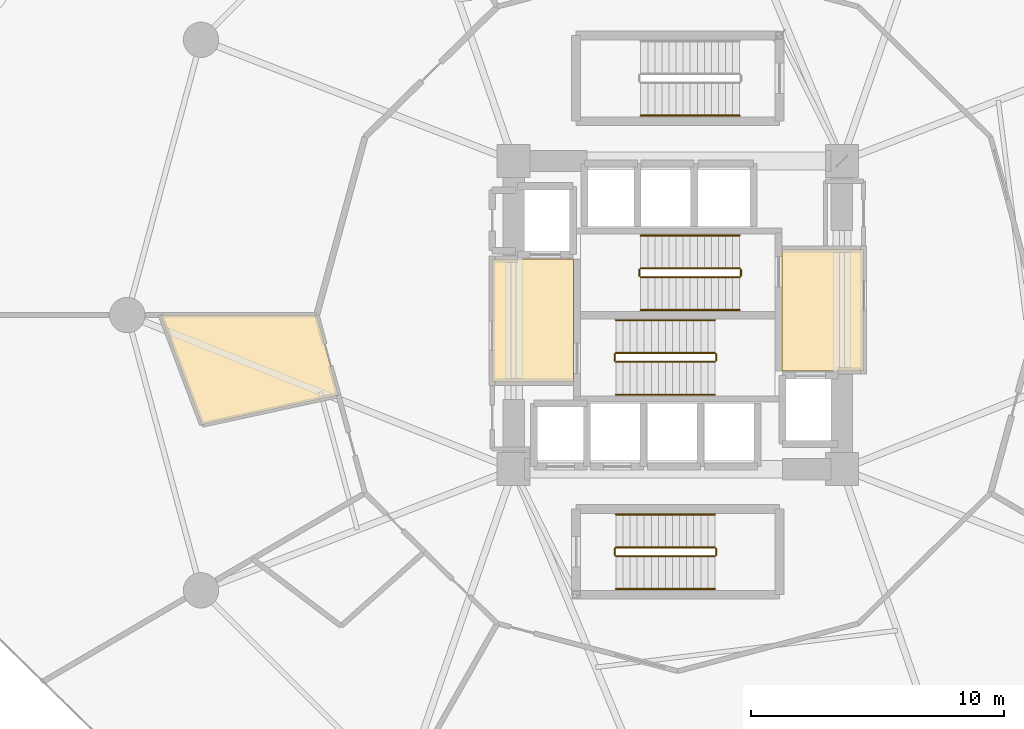
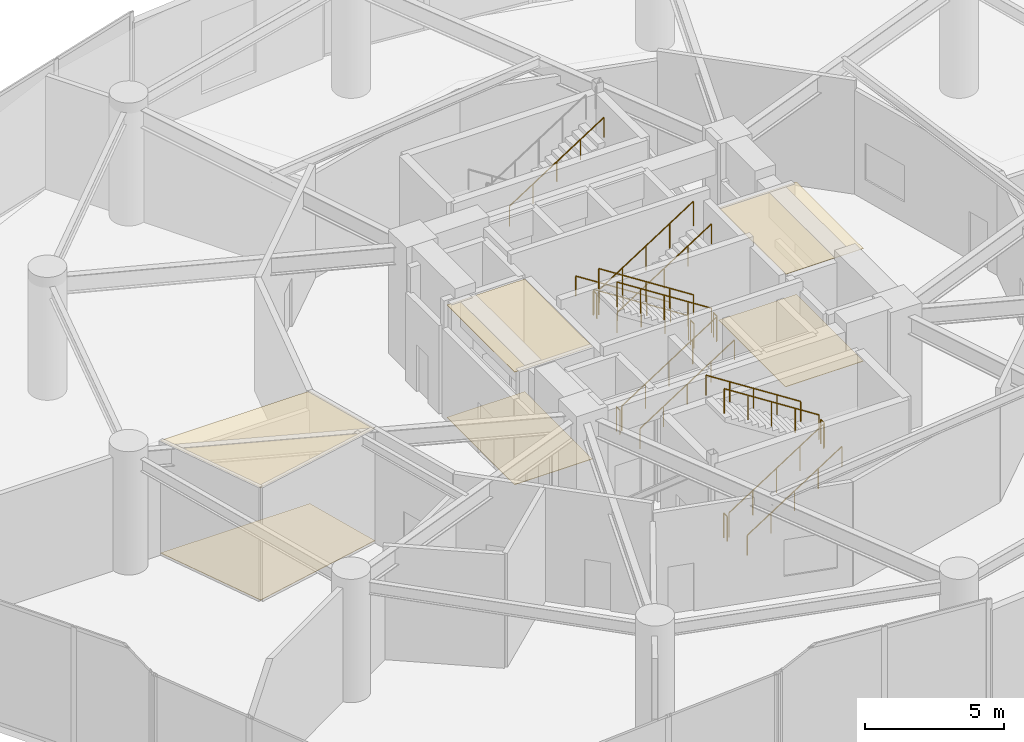
# One storey, part 27 of 29: 19 railings, 6 coverings.
"""IFC4 building model written with IfcOpenShell, lengths in metres."""

from ifc_helpers import new_model, si_unit, direction, frame, origin, origin_2d, place, context, subcontext, project, spatial, polyline, circle, outline, extrude, material, layer, layer_set, type_object, element, save


model = new_model("IFC4")

# Units and contexts
model_context = context("Model", 3, precision=1e-05, world=origin(), true_north=direction((0.0, 1.0)))
body_context = subcontext(model_context, "Body", "Model", "MODEL_VIEW")
ifc_project = project(units=[si_unit("LENGTHUNIT", "METRE"), si_unit("AREAUNIT", "SQUARE_METRE"), si_unit("VOLUMEUNIT", "CUBIC_METRE"), si_unit("PLANEANGLEUNIT", "RADIAN"), si_unit("MASSUNIT", "GRAM", prefix="KILO")], contexts=[model_context])

# Site, building, storey
site_placement = place(None, origin())
site = spatial("IfcSite", under=ifc_project, at=site_placement, CompositionType="ELEMENT")
building_placement = place(site_placement, origin())
building = spatial("IfcBuilding", under=site, at=building_placement, Name="Solvirekh Grand Hotel", CompositionType="ELEMENT")
storey_placement = place(building_placement, frame((0.0, 0.0, 7.199951171875)))
storey = spatial("IfcBuildingStorey", under=building, at=storey_placement, Name="L01", CompositionType="ELEMENT", Elevation=7.199951171875)

# Coverings
ifc_material_1 = material(Name="Acoustic Mineral Ceiling Tile")
ifc_layer_1 = layer(ifc_material_1, 0.02490234375)
ifc_layer_set_1 = layer_set([ifc_layer_1], Name="Acoustic Mineral Ceiling Tile")
covering_type_1 = type_object("IfcCoveringType", Name="Cov_Ceiling_Acoustic", PredefinedType="CEILING", material=ifc_layer_set_1)
covering_1_placement = place(storey_placement, frame((0.0, 0.0, 4.929931640625)))
element("IfcCovering", 1, at=covering_1_placement, inside=storey, type_object=covering_type_1, Name="L01 Firefighting Lobby West acoustic ceiling", PredefinedType="CEILING", context=body_context, shape_type="SweptSolid", body=[
    extrude(outline(polyline([(-7.35009765625, -2.64990234375), (-4.1298828125, -2.64990234375), (-4.1298828125, 2.2099609375), (-7.35009765625, 2.2099609375), (-7.35009765625, -2.64990234375)])), origin(), (0.0, 0.0, 1.0), 0.01806640625),
])
covering_2_placement = place(storey_placement, frame((0.0, 0.0, 4.929931640625)))
element("IfcCovering", 2, at=covering_2_placement, inside=storey, type_object=covering_type_1, Name="L01 Firefighting Lobby East acoustic ceiling", PredefinedType="CEILING", context=body_context, shape_type="SweptSolid", body=[
    extrude(outline(polyline([(4.1298828125, -2.2099609375), (7.35009765625, -2.2099609375), (7.35009765625, 2.60009765625), (4.1298828125, 2.60009765625), (4.1298828125, -2.2099609375)])), origin(), (0.0, 0.0, 1.0), 0.01806640625),
])
covering_3_placement = place(storey_placement, frame((0.0, 0.0, 4.929931640625)))
element("IfcCovering", 3, at=covering_3_placement, inside=storey, type_object=covering_type_1, Name="L01 Podium Accessible WC acoustic ceiling", PredefinedType="CEILING", context=body_context, shape_type="SweptSolid", body=[
    extrude(outline(polyline([(-20.48095703125, 0.0), (-18.841064453125, -4.344970703125), (-13.43798828125, -3.172119140625), (-14.300048828125, 0.0), (-20.48095703125, 0.0)])), origin(), (0.0, 0.0, 1.0), 0.01806640625),
])
ifc_material_2 = material(Name="Porcelain Stoneware Flooring", Category="masonry")
ifc_layer_2 = layer(ifc_material_2, 0.030029296875)
ifc_layer_set_2 = layer_set([ifc_layer_2], Name="Porcelain Stoneware Flooring")
covering_type_2 = type_object("IfcCoveringType", Name="Cov_Floor_Stone", PredefinedType="FLOORING", material=ifc_layer_set_2)
covering_4_placement = place(storey_placement, origin())
element("IfcCovering", 4, at=covering_4_placement, inside=storey, type_object=covering_type_2, Name="L01 Firefighting Lobby West polished granite flooring", PredefinedType="FLOORING", context=body_context, shape_type="SweptSolid", body=[
    extrude(outline(polyline([(-7.35009765625, -2.64990234375), (-4.1298828125, -2.64990234375), (-4.1298828125, 2.2099609375), (-7.35009765625, 2.2099609375), (-7.35009765625, -2.64990234375)])), origin(), (0.0, 0.0, 1.0), 0.02001953125),
])
covering_5_placement = place(storey_placement, origin())
element("IfcCovering", 5, at=covering_5_placement, inside=storey, type_object=covering_type_2, Name="L01 Firefighting Lobby East polished granite flooring", PredefinedType="FLOORING", context=body_context, shape_type="SweptSolid", body=[
    extrude(outline(polyline([(4.1298828125, -2.2099609375), (7.35009765625, -2.2099609375), (7.35009765625, 2.60009765625), (4.1298828125, 2.60009765625), (4.1298828125, -2.2099609375)])), origin(), (0.0, 0.0, 1.0), 0.02001953125),
])
covering_6_placement = place(storey_placement, origin())
element("IfcCovering", 6, at=covering_6_placement, inside=storey, type_object=covering_type_2, Name="L01 Podium Accessible WC polished granite flooring", PredefinedType="FLOORING", context=body_context, shape_type="SweptSolid", body=[
    extrude(outline(polyline([(-20.48095703125, 0.0), (-18.841064453125, -4.344970703125), (-13.43798828125, -3.172119140625), (-14.300048828125, 0.0), (-20.48095703125, 0.0)])), origin(), (0.0, 0.0, 1.0), 0.02001953125),
])

# Railings
ifc_material_3 = material(Name="Steel S355", Category="steel")
railing_type_1 = type_object("IfcRailingType", Name="Guard_Stair_1100", PredefinedType="GUARDRAIL", material=ifc_material_3)
railing_1_placement = place(storey_placement, frame((-2.449951171875, -1.85009765625, 0.179931640625)))
element("IfcRailing", 7, at=railing_1_placement, inside=storey, type_object=railing_type_1, Name="L01 ST-1 stair guard 1", PredefinedType="GUARDRAIL", context=body_context, shape_type="SweptSolid", body=[
    extrude(circle(Radius=0.02392578125, at=origin_2d()), frame((0.0, 0.0, 1.076171875), z_axis=(0.841171666519, 0.0, 0.540768182723), x_axis=(0.0, 1.0, 0.0)), (0.0, 0.0, 1.0), 4.66015625),
    extrude(circle(Radius=0.02099609375, at=origin_2d()), origin(), (0.0, 0.0, 1.0), 1.052001953125),
    extrude(circle(Radius=0.02099609375, at=origin_2d()), frame((0.97998046875, 0.0, 0.6298828125)), (0.0, 0.0, 1.0), 1.052001953125),
    extrude(circle(Radius=0.02099609375, at=origin_2d()), frame((1.9599609375, 0.0, 1.260009765625)), (0.0, 0.0, 1.0), 1.052001953125),
    extrude(circle(Radius=0.02099609375, at=origin_2d()), frame((2.93994140625, 0.0, 1.89013671875)), (0.0, 0.0, 1.0), 1.052001953125),
    extrude(circle(Radius=0.02099609375, at=origin_2d()), frame((3.919921875, 0.0, 2.52001953125)), (0.0, 0.0, 1.0), 1.052001953125),
])
railing_2_placement = place(storey_placement, frame((1.52001953125, -1.800048828125, 2.699951171875)))
element("IfcRailing", 8, at=railing_2_placement, inside=storey, type_object=railing_type_1, Name="L01 ST-1 stair guard 2", PredefinedType="GUARDRAIL", context=body_context, shape_type="SweptSolid", body=[
    extrude(circle(Radius=0.02392578125, at=origin_2d()), frame((0.0, 0.0, 1.076171875), z_axis=(0.0, 1.0, 0.0), x_axis=(-1.0, 0.0, 0.0)), (0.0, 0.0, 1.0), 0.25),
    extrude(circle(Radius=0.02099609375, at=origin_2d()), origin(), (0.0, 0.0, 1.0), 1.052001953125),
    extrude(circle(Radius=0.02099609375, at=origin_2d()), frame((0.0, 0.25, 0.0)), (0.0, 0.0, 1.0), 1.052001953125),
])
railing_3_placement = place(storey_placement, frame((1.469970703125, -1.5, 2.880126953125)))
element("IfcRailing", 9, at=railing_3_placement, inside=storey, type_object=railing_type_1, Name="L01 ST-1 stair guard 3", PredefinedType="GUARDRAIL", context=body_context, shape_type="SweptSolid", body=[
    extrude(circle(Radius=0.02392578125, at=origin_2d()), frame((0.0, 0.0, 1.076171875), z_axis=(-0.841171666519, 0.0, 0.540768182723), x_axis=(0.0, -1.0, 0.0)), (0.0, 0.0, 1.0), 4.66015625),
    extrude(circle(Radius=0.02099609375, at=origin_2d()), origin(), (0.0, 0.0, 1.0), 1.052001953125),
    extrude(circle(Radius=0.02099609375, at=origin_2d()), frame((-0.97998046875, 0.0, 0.6298828125)), (0.0, 0.0, 1.0), 1.052001953125),
    extrude(circle(Radius=0.02099609375, at=origin_2d()), frame((-1.9599609375, 0.0, 1.260009765625)), (0.0, 0.0, 1.0), 1.052001953125),
    extrude(circle(Radius=0.02099609375, at=origin_2d()), frame((-2.93994140625, 0.0, 1.89013671875)), (0.0, 0.0, 1.0), 1.052001953125),
    extrude(circle(Radius=0.02099609375, at=origin_2d()), frame((-3.919921875, 0.0, 2.52001953125)), (0.0, 0.0, 1.0), 1.052001953125),
])
railing_4_placement = place(storey_placement, frame((-2.5, -1.800048828125, 0.0)))
element("IfcRailing", 10, at=railing_4_placement, inside=storey, type_object=railing_type_1, Name="L01 ST-1 stair guard 4", PredefinedType="GUARDRAIL", context=body_context, shape_type="SweptSolid", body=[
    extrude(circle(Radius=0.02392578125, at=origin_2d()), frame((0.0, 0.0, 1.076171875), z_axis=(0.0, 1.0, 0.0), x_axis=(-1.0, 0.0, 0.0)), (0.0, 0.0, 1.0), 0.25),
    extrude(circle(Radius=0.02099609375, at=origin_2d()), origin(), (0.0, 0.0, 1.0), 1.052001953125),
    extrude(circle(Radius=0.02099609375, at=origin_2d()), frame((0.0, 0.25, 0.0)), (0.0, 0.0, 1.0), 1.052001953125),
])
railing_5_placement = place(storey_placement, frame((2.449951171875, 1.85009765625, 0.179931640625)))
element("IfcRailing", 11, at=railing_5_placement, inside=storey, type_object=railing_type_1, Name="L01 ST-2 stair guard 1", PredefinedType="GUARDRAIL", context=body_context, shape_type="SweptSolid", body=[
    extrude(circle(Radius=0.02392578125, at=origin_2d()), frame((0.0, 0.0, 1.076171875), z_axis=(-0.841171666519, 0.0, 0.540768182723), x_axis=(0.0, -1.0, 0.0)), (0.0, 0.0, 1.0), 4.66015625),
    extrude(circle(Radius=0.02099609375, at=origin_2d()), origin(), (0.0, 0.0, 1.0), 1.052001953125),
    extrude(circle(Radius=0.02099609375, at=origin_2d()), frame((-0.97998046875, 0.0, 0.6298828125)), (0.0, 0.0, 1.0), 1.052001953125),
    extrude(circle(Radius=0.02099609375, at=origin_2d()), frame((-1.9599609375, 0.0, 1.260009765625)), (0.0, 0.0, 1.0), 1.052001953125),
    extrude(circle(Radius=0.02099609375, at=origin_2d()), frame((-2.93994140625, 0.0, 1.89013671875)), (0.0, 0.0, 1.0), 1.052001953125),
    extrude(circle(Radius=0.02099609375, at=origin_2d()), frame((-3.919921875, 0.0, 2.52001953125)), (0.0, 0.0, 1.0), 1.052001953125),
])
railing_6_placement = place(storey_placement, frame((-1.52001953125, 1.800048828125, 2.699951171875)))
element("IfcRailing", 12, at=railing_6_placement, inside=storey, type_object=railing_type_1, Name="L01 ST-2 stair guard 2", PredefinedType="GUARDRAIL", context=body_context, shape_type="SweptSolid", body=[
    extrude(circle(Radius=0.02392578125, at=origin_2d()), frame((0.0, 0.0, 1.076171875), z_axis=(0.0, -1.0, 0.0), x_axis=(1.0, 0.0, 0.0)), (0.0, 0.0, 1.0), 0.25),
    extrude(circle(Radius=0.02099609375, at=origin_2d()), origin(), (0.0, 0.0, 1.0), 1.052001953125),
    extrude(circle(Radius=0.02099609375, at=origin_2d()), frame((0.0, -0.25, 0.0)), (0.0, 0.0, 1.0), 1.052001953125),
])
railing_7_placement = place(storey_placement, frame((-1.469970703125, 1.5, 2.880126953125)))
element("IfcRailing", 13, at=railing_7_placement, inside=storey, type_object=railing_type_1, Name="L01 ST-2 stair guard 3", PredefinedType="GUARDRAIL", context=body_context, shape_type="SweptSolid", body=[
    extrude(circle(Radius=0.02392578125, at=origin_2d()), frame((0.0, 0.0, 1.076171875), z_axis=(0.841171666519, 0.0, 0.540768182723), x_axis=(0.0, 1.0, 0.0)), (0.0, 0.0, 1.0), 4.66015625),
    extrude(circle(Radius=0.02099609375, at=origin_2d()), origin(), (0.0, 0.0, 1.0), 1.052001953125),
    extrude(circle(Radius=0.02099609375, at=origin_2d()), frame((0.97998046875, 0.0, 0.6298828125)), (0.0, 0.0, 1.0), 1.052001953125),
    extrude(circle(Radius=0.02099609375, at=origin_2d()), frame((1.9599609375, 0.0, 1.260009765625)), (0.0, 0.0, 1.0), 1.052001953125),
    extrude(circle(Radius=0.02099609375, at=origin_2d()), frame((2.93994140625, 0.0, 1.89013671875)), (0.0, 0.0, 1.0), 1.052001953125),
    extrude(circle(Radius=0.02099609375, at=origin_2d()), frame((3.919921875, 0.0, 2.52001953125)), (0.0, 0.0, 1.0), 1.052001953125),
])
railing_8_placement = place(storey_placement, frame((2.5, 1.800048828125, 0.0)))
element("IfcRailing", 14, at=railing_8_placement, inside=storey, type_object=railing_type_1, Name="L01 ST-2 stair guard 4", PredefinedType="GUARDRAIL", context=body_context, shape_type="SweptSolid", body=[
    extrude(circle(Radius=0.02392578125, at=origin_2d()), frame((0.0, 0.0, 1.076171875), z_axis=(0.0, -1.0, 0.0), x_axis=(1.0, 0.0, 0.0)), (0.0, 0.0, 1.0), 0.25),
    extrude(circle(Radius=0.02099609375, at=origin_2d()), origin(), (0.0, 0.0, 1.0), 1.052001953125),
    extrude(circle(Radius=0.02099609375, at=origin_2d()), frame((0.0, -0.25, 0.0)), (0.0, 0.0, 1.0), 1.052001953125),
])
railing_9_placement = place(storey_placement, frame((-2.449951171875, -9.550048828125, 0.179931640625)))
element("IfcRailing", 15, at=railing_9_placement, inside=storey, type_object=railing_type_1, Name="L01 ST-3 stair guard 1", PredefinedType="GUARDRAIL", context=body_context, shape_type="SweptSolid", body=[
    extrude(circle(Radius=0.02392578125, at=origin_2d()), frame((0.0, 0.0, 1.076171875), z_axis=(0.841171666519, 0.0, 0.540768182723), x_axis=(0.0, 1.0, 0.0)), (0.0, 0.0, 1.0), 4.66015625),
    extrude(circle(Radius=0.02099609375, at=origin_2d()), origin(), (0.0, 0.0, 1.0), 1.052001953125),
    extrude(circle(Radius=0.02099609375, at=origin_2d()), frame((0.97998046875, 0.0, 0.6298828125)), (0.0, 0.0, 1.0), 1.052001953125),
    extrude(circle(Radius=0.02099609375, at=origin_2d()), frame((1.9599609375, 0.0, 1.260009765625)), (0.0, 0.0, 1.0), 1.052001953125),
    extrude(circle(Radius=0.02099609375, at=origin_2d()), frame((2.93994140625, 0.0, 1.89013671875)), (0.0, 0.0, 1.0), 1.052001953125),
    extrude(circle(Radius=0.02099609375, at=origin_2d()), frame((3.919921875, 0.0, 2.52001953125)), (0.0, 0.0, 1.0), 1.052001953125),
])
railing_10_placement = place(storey_placement, frame((1.52001953125, -9.5, 2.699951171875)))
element("IfcRailing", 16, at=railing_10_placement, inside=storey, type_object=railing_type_1, Name="L01 ST-3 stair guard 2", PredefinedType="GUARDRAIL", context=body_context, shape_type="SweptSolid", body=[
    extrude(circle(Radius=0.02392578125, at=origin_2d()), frame((0.0, 0.0, 1.076171875), z_axis=(0.0, 1.0, 0.0), x_axis=(-1.0, 0.0, 0.0)), (0.0, 0.0, 1.0), 0.25),
    extrude(circle(Radius=0.02099609375, at=origin_2d()), origin(), (0.0, 0.0, 1.0), 1.052001953125),
    extrude(circle(Radius=0.02099609375, at=origin_2d()), frame((0.0, 0.25, 0.0)), (0.0, 0.0, 1.0), 1.052001953125),
])
railing_11_placement = place(storey_placement, frame((1.469970703125, -9.199951171875, 2.880126953125)))
element("IfcRailing", 17, at=railing_11_placement, inside=storey, type_object=railing_type_1, Name="L01 ST-3 stair guard 3", PredefinedType="GUARDRAIL", context=body_context, shape_type="SweptSolid", body=[
    extrude(circle(Radius=0.02392578125, at=origin_2d()), frame((0.0, 0.0, 1.076171875), z_axis=(-0.841171666519, 0.0, 0.540768182723), x_axis=(0.0, -1.0, 0.0)), (0.0, 0.0, 1.0), 4.66015625),
    extrude(circle(Radius=0.02099609375, at=origin_2d()), origin(), (0.0, 0.0, 1.0), 1.052001953125),
    extrude(circle(Radius=0.02099609375, at=origin_2d()), frame((-0.97998046875, 0.0, 0.6298828125)), (0.0, 0.0, 1.0), 1.052001953125),
    extrude(circle(Radius=0.02099609375, at=origin_2d()), frame((-1.9599609375, 0.0, 1.260009765625)), (0.0, 0.0, 1.0), 1.052001953125),
    extrude(circle(Radius=0.02099609375, at=origin_2d()), frame((-2.93994140625, 0.0, 1.89013671875)), (0.0, 0.0, 1.0), 1.052001953125),
    extrude(circle(Radius=0.02099609375, at=origin_2d()), frame((-3.919921875, 0.0, 2.52001953125)), (0.0, 0.0, 1.0), 1.052001953125),
])
railing_12_placement = place(storey_placement, frame((-2.5, -9.5, 0.0)))
element("IfcRailing", 18, at=railing_12_placement, inside=storey, type_object=railing_type_1, Name="L01 ST-3 stair guard 4", PredefinedType="GUARDRAIL", context=body_context, shape_type="SweptSolid", body=[
    extrude(circle(Radius=0.02392578125, at=origin_2d()), frame((0.0, 0.0, 1.076171875), z_axis=(0.0, 1.0, 0.0), x_axis=(-1.0, 0.0, 0.0)), (0.0, 0.0, 1.0), 0.25),
    extrude(circle(Radius=0.02099609375, at=origin_2d()), origin(), (0.0, 0.0, 1.0), 1.052001953125),
    extrude(circle(Radius=0.02099609375, at=origin_2d()), frame((0.0, 0.25, 0.0)), (0.0, 0.0, 1.0), 1.052001953125),
])
ifc_material_4 = material(Name="Anodized Bronze Aluminium 6063-T6", Category="aluminium")
railing_type_2 = type_object("IfcRailingType", Name="Handrail_Wall_900", PredefinedType="HANDRAIL", material=ifc_material_4)
railing_13_placement = place(storey_placement, frame((-2.449951171875, -3.14990234375, 0.179931640625)))
element("IfcRailing", 19, at=railing_13_placement, inside=storey, type_object=railing_type_2, Name="L01 ST-1 stair handrail 1", PredefinedType="HANDRAIL", context=body_context, shape_type="SweptSolid", body=[
    extrude(circle(Radius=0.02392578125, at=origin_2d()), frame((0.0, 0.0, 0.8759765625), z_axis=(0.841171666519, 0.0, 0.540768182723), x_axis=(0.0, 1.0, 0.0)), (0.0, 0.0, 1.0), 4.66015625),
    extrude(circle(Radius=0.02099609375, at=origin_2d()), origin(), (0.0, 0.0, 1.0), 0.851806640625),
    extrude(circle(Radius=0.02099609375, at=origin_2d()), frame((0.97998046875, 0.0, 0.6298828125)), (0.0, 0.0, 1.0), 0.851806640625),
    extrude(circle(Radius=0.02099609375, at=origin_2d()), frame((1.9599609375, 0.0, 1.260009765625)), (0.0, 0.0, 1.0), 0.851806640625),
    extrude(circle(Radius=0.02099609375, at=origin_2d()), frame((2.93994140625, 0.0, 1.89013671875)), (0.0, 0.0, 1.0), 0.851806640625),
    extrude(circle(Radius=0.02099609375, at=origin_2d()), frame((3.919921875, 0.0, 2.52001953125)), (0.0, 0.0, 1.0), 0.851806640625),
])
for number, where, name in (
    (20, (1.469970703125, -0.199951171875, 2.880126953125), "L01 ST-1 stair handrail 2"),
    (21, (2.449951171875, 3.14990234375, 0.179931640625), "L01 ST-2 stair handrail 1"),
):
    element("IfcRailing", number, at=place(storey_placement, frame(where)), inside=storey, type_object=railing_type_2, Name=name, PredefinedType="HANDRAIL", context=body_context, shape_type="SweptSolid", body=[
        extrude(circle(Radius=0.02392578125, at=origin_2d()), frame((0.0, 0.0, 0.8759765625), z_axis=(-0.841171666519, 0.0, 0.540768182723), x_axis=(0.0, -1.0, 0.0)), (0.0, 0.0, 1.0), 4.66015625),
        extrude(circle(Radius=0.02099609375, at=origin_2d()), origin(), (0.0, 0.0, 1.0), 0.851806640625),
        extrude(circle(Radius=0.02099609375, at=origin_2d()), frame((-0.97998046875, 0.0, 0.6298828125)), (0.0, 0.0, 1.0), 0.851806640625),
        extrude(circle(Radius=0.02099609375, at=origin_2d()), frame((-1.9599609375, 0.0, 1.260009765625)), (0.0, 0.0, 1.0), 0.851806640625),
        extrude(circle(Radius=0.02099609375, at=origin_2d()), frame((-2.93994140625, 0.0, 1.89013671875)), (0.0, 0.0, 1.0), 0.851806640625),
        extrude(circle(Radius=0.02099609375, at=origin_2d()), frame((-3.919921875, 0.0, 2.52001953125)), (0.0, 0.0, 1.0), 0.851806640625),
    ])
for number, where, name in (
    (22, (-1.469970703125, 0.199951171875, 2.880126953125), "L01 ST-2 stair handrail 2"),
    (23, (-2.449951171875, -10.85009765625, 0.179931640625), "L01 ST-3 stair handrail 1"),
):
    element("IfcRailing", number, at=place(storey_placement, frame(where)), inside=storey, type_object=railing_type_2, Name=name, PredefinedType="HANDRAIL", context=body_context, shape_type="SweptSolid", body=[
        extrude(circle(Radius=0.02392578125, at=origin_2d()), frame((0.0, 0.0, 0.8759765625), z_axis=(0.841171666519, 0.0, 0.540768182723), x_axis=(0.0, 1.0, 0.0)), (0.0, 0.0, 1.0), 4.66015625),
        extrude(circle(Radius=0.02099609375, at=origin_2d()), origin(), (0.0, 0.0, 1.0), 0.851806640625),
        extrude(circle(Radius=0.02099609375, at=origin_2d()), frame((0.97998046875, 0.0, 0.6298828125)), (0.0, 0.0, 1.0), 0.851806640625),
        extrude(circle(Radius=0.02099609375, at=origin_2d()), frame((1.9599609375, 0.0, 1.260009765625)), (0.0, 0.0, 1.0), 0.851806640625),
        extrude(circle(Radius=0.02099609375, at=origin_2d()), frame((2.93994140625, 0.0, 1.89013671875)), (0.0, 0.0, 1.0), 0.851806640625),
        extrude(circle(Radius=0.02099609375, at=origin_2d()), frame((3.919921875, 0.0, 2.52001953125)), (0.0, 0.0, 1.0), 0.851806640625),
    ])
railing_14_placement = place(storey_placement, frame((1.469970703125, -7.89990234375, 2.880126953125)))
element("IfcRailing", 24, at=railing_14_placement, inside=storey, type_object=railing_type_2, Name="L01 ST-3 stair handrail 2", PredefinedType="HANDRAIL", context=body_context, shape_type="SweptSolid", body=[
    extrude(circle(Radius=0.02392578125, at=origin_2d()), frame((0.0, 0.0, 0.8759765625), z_axis=(-0.841171666519, 0.0, 0.540768182723), x_axis=(0.0, -1.0, 0.0)), (0.0, 0.0, 1.0), 4.66015625),
    extrude(circle(Radius=0.02099609375, at=origin_2d()), origin(), (0.0, 0.0, 1.0), 0.851806640625),
    extrude(circle(Radius=0.02099609375, at=origin_2d()), frame((-0.97998046875, 0.0, 0.6298828125)), (0.0, 0.0, 1.0), 0.851806640625),
    extrude(circle(Radius=0.02099609375, at=origin_2d()), frame((-1.9599609375, 0.0, 1.260009765625)), (0.0, 0.0, 1.0), 0.851806640625),
    extrude(circle(Radius=0.02099609375, at=origin_2d()), frame((-2.93994140625, 0.0, 1.89013671875)), (0.0, 0.0, 1.0), 0.851806640625),
    extrude(circle(Radius=0.02099609375, at=origin_2d()), frame((-3.919921875, 0.0, 2.52001953125)), (0.0, 0.0, 1.0), 0.851806640625),
])
railing_15_placement = place(storey_placement, frame((-1.469970703125, 7.89990234375, 2.880126953125)))
element("IfcRailing", 25, at=railing_15_placement, inside=storey, type_object=railing_type_2, Name="L01 ST-4 stair handrail 2", PredefinedType="HANDRAIL", context=body_context, shape_type="SweptSolid", body=[
    extrude(circle(Radius=0.02392578125, at=origin_2d()), frame((0.0, 0.0, 0.8759765625), z_axis=(0.841171666519, 0.0, 0.540768182723), x_axis=(0.0, 1.0, 0.0)), (0.0, 0.0, 1.0), 4.66015625),
    extrude(circle(Radius=0.02099609375, at=origin_2d()), origin(), (0.0, 0.0, 1.0), 0.851806640625),
    extrude(circle(Radius=0.02099609375, at=origin_2d()), frame((0.97998046875, 0.0, 0.6298828125)), (0.0, 0.0, 1.0), 0.851806640625),
    extrude(circle(Radius=0.02099609375, at=origin_2d()), frame((1.9599609375, 0.0, 1.260009765625)), (0.0, 0.0, 1.0), 0.851806640625),
    extrude(circle(Radius=0.02099609375, at=origin_2d()), frame((2.93994140625, 0.0, 1.89013671875)), (0.0, 0.0, 1.0), 0.851806640625),
    extrude(circle(Radius=0.02099609375, at=origin_2d()), frame((3.919921875, 0.0, 2.52001953125)), (0.0, 0.0, 1.0), 0.851806640625),
])

save(model, "model.ifc")
